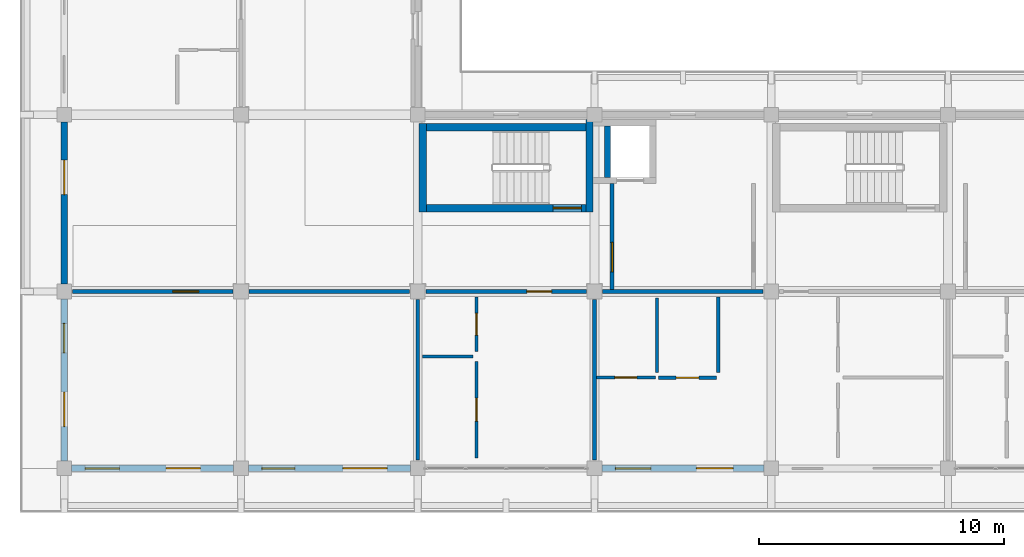
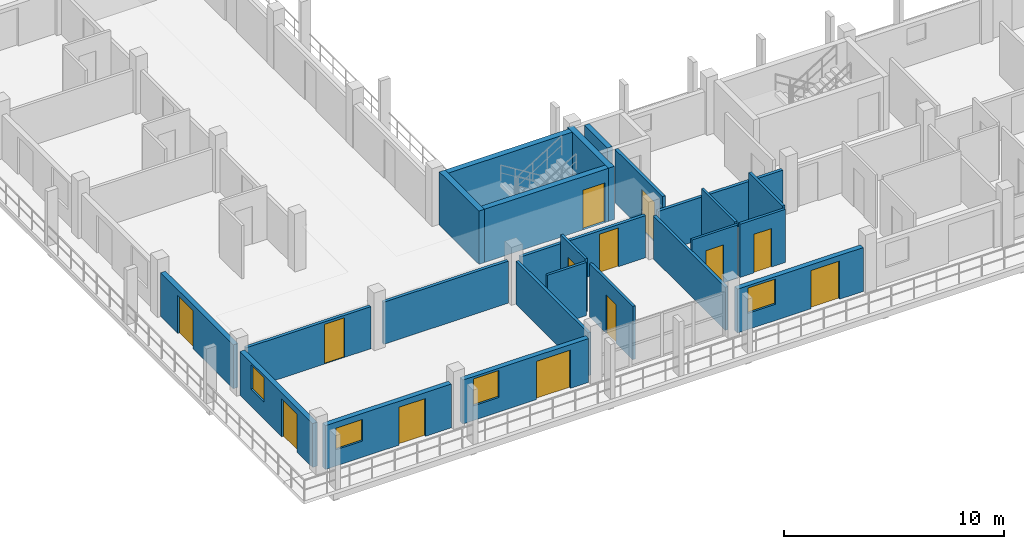
# One storey, part 40 of 78: 24 walls, 13 doors, 4 windows, 17 openings.
"""IFC4 building model written with IfcOpenShell, lengths in metres."""

from ifc_helpers import new_model, si_unit, direction, frame, frame_2d, origin, place, context, subcontext, project, spatial, rectangle, extrude, material, layer, layer_set, type_object, element, fill, save


model = new_model("IFC4")

# Units and contexts
model_context = context("Model", 3, precision=1e-05, world=origin(), true_north=direction((0.0, 1.0)))
body_context = subcontext(model_context, "Body", "Model", "MODEL_VIEW")
ifc_project = project(units=[si_unit("LENGTHUNIT", "METRE"), si_unit("AREAUNIT", "SQUARE_METRE"), si_unit("VOLUMEUNIT", "CUBIC_METRE"), si_unit("PLANEANGLEUNIT", "RADIAN"), si_unit("MASSUNIT", "GRAM", prefix="KILO")], contexts=[model_context])

# Site, building, storey
site_placement = place(None, origin())
site = spatial("IfcSite", under=ifc_project, at=site_placement, CompositionType="ELEMENT")
building_placement = place(site_placement, origin())
building = spatial("IfcBuilding", under=site, at=building_placement, Name="Suanplinth Sawtooth Commons", CompositionType="ELEMENT")
storey_placement = place(building_placement, frame((0.0, 0.0, 15.39990234375)))
storey = spatial("IfcBuildingStorey", under=building, at=storey_placement, Name="L04", CompositionType="ELEMENT", Elevation=15.39990234375)

# Wall, opening, door
ifc_material_1 = material(Name="Concrete C40/50", Category="concrete")
ifc_layer_1 = layer(ifc_material_1, 0.300048828125, Name="Standard RC stair and lift core wall 300mm")
ifc_layer_set_1 = layer_set([ifc_layer_1], Name="Concrete C40/50")
wall_type_1 = type_object("IfcWallType", Name="W-CR02", PredefinedType="SHEAR", material=ifc_layer_set_1)
wall_1_placement = place(storey_placement, frame((14.75, 10.60009765625, 0.0), z_axis=(0.0, 0.0, 1.0), x_axis=(1.0, 0.0, 0.0)))
wall_1 = element("IfcWall", 1, at=wall_1_placement, inside=storey, type_object=wall_type_1, Name="W-L04-C-D1-STS", PredefinedType="SHEAR", context=body_context, shape_type="SweptSolid", body=[
    extrude(rectangle(XDim=6.5, YDim=0.300048828125, at=frame_2d((3.25, 0.0))), origin(), (0.0, 0.0, 1.0), 2.9501953125),
])
opening_1_placement = place(wall_1_placement, frame((5.169921875, 0.0, 0.0)))
opening_1 = element("IfcOpeningElement", 2, at=opening_1_placement, cuts=wall_1, Name="Opening FD0377", PredefinedType="OPENING", context=body_context, shape_type="SweptSolid", body=[
    extrude(rectangle(XDim=1.14990234375, YDim=2.199951171875, at=frame_2d((0.574951171875, 1.10009765625))), frame((0.0, 0.1650390625, 0.0), z_axis=(0.0, -1.0, 0.0), x_axis=(1.0, 0.0, 0.0)), (0.0, 0.0, 1.0), 0.329833984375),
])
ifc_material_2 = material(Name="Teak hardwood fire-rated door assembly", Category="wood")
door_type_1 = type_object("IfcDoorType", Name="FD-01", OperationType="NOTDEFINED", PredefinedType="DOOR", material=ifc_material_2)
door_1_placement = place(opening_1_placement, origin())
door_1 = element("IfcDoor", 3, at=door_1_placement, inside=storey, type_object=door_type_1, Name="Exit Stair Fire Door FD0377", OperationType="SINGLE_SWING_LEFT", OverallHeight=2.199951171875, OverallWidth=1.14990234375, PredefinedType="DOOR", context=body_context, shape_type="SweptSolid", body=[
    extrude(rectangle(XDim=1.14990234375, YDim=2.199951171875, at=frame_2d((0.574951171875, 1.10009765625))), frame((0.0, 0.02490234375, 0.0), z_axis=(0.0, -1.0, 0.0), x_axis=(1.0, 0.0, 0.0)), (0.0, 0.0, 1.0), 0.050048828125),
])
fill(opening_1, door_1)

# Walls
wall_2_placement = place(storey_placement, frame((14.75, 13.89990234375, 0.0), z_axis=(0.0, 0.0, 1.0), x_axis=(1.0, 0.0, 0.0)))
element("IfcWall", 4, at=wall_2_placement, inside=storey, type_object=wall_type_1, Name="W-L04-C-D1-STN", PredefinedType="SHEAR", context=body_context, shape_type="SweptSolid", body=[
    extrude(rectangle(XDim=6.5, YDim=0.300048828125, at=frame_2d((3.25, 0.0))), origin(), (0.0, 0.0, 1.0), 2.9501953125),
])
wall_3_placement = place(storey_placement, frame((14.60009765625, 10.449951171875, 0.0), z_axis=(0.0, 0.0, 1.0), x_axis=(0.0, 1.0, 0.0)))
element("IfcWall", 5, at=wall_3_placement, inside=storey, type_object=wall_type_1, Name="W-L04-C-D1-STW", PredefinedType="SHEAR", context=body_context, shape_type="SweptSolid", body=[
    extrude(rectangle(XDim=3.60009765625, YDim=0.300048828125, at=frame_2d((1.800048828125, 0.0))), origin(), (0.0, 0.0, 1.0), 2.9501953125),
])
wall_4_placement = place(storey_placement, frame((21.39990234375, 10.449951171875, 0.0), z_axis=(0.0, 0.0, 1.0), x_axis=(0.0, 1.0, 0.0)))
element("IfcWall", 6, at=wall_4_placement, inside=storey, type_object=wall_type_1, Name="W-L04-C-D1-STE", PredefinedType="SHEAR", context=body_context, shape_type="SweptSolid", body=[
    extrude(rectangle(XDim=3.75, YDim=0.300048828125, at=frame_2d((1.875, 0.0))), origin(), (0.0, 0.0, 1.0), 2.9501953125),
])

# Wall, openings, door, window
ifc_material_3 = material(Name="Precast concrete C40/50", Category="concrete")
ifc_layer_2 = layer(ifc_material_3, 0.260009765625, Name="Insulated precast courtyard facade wall 260mm")
ifc_layer_set_2 = layer_set([ifc_layer_2], Name="Precast concrete C40/50")
wall_type_2 = type_object("IfcWallType", Name="W-EX02", PredefinedType="ELEMENTEDWALL", material=ifc_layer_set_2)
wall_5_placement = place(storey_placement, frame((0.300048828125, 0.0, 0.0), z_axis=(0.0, 0.0, 1.0), x_axis=(1.0, 0.0, 0.0)))
wall_5 = element("IfcWall", 7, at=wall_5_placement, inside=storey, type_object=wall_type_2, Name="Facade Wall W-L04-D-S-0-0", PredefinedType="ELEMENTEDWALL", context=body_context, shape_type="SweptSolid", body=[
    extrude(rectangle(XDim=6.599853515625, YDim=0.260009765625, at=frame_2d((3.2998046875, 0.0))), origin(), (0.0, 0.0, 1.0), 2.43017578125),
])
opening_2_placement = place(wall_5_placement, frame((3.85009765625, 0.0, 0.0)))
opening_2 = element("IfcOpeningElement", 8, at=opening_2_placement, cuts=wall_5, Name="Opening ED0379", PredefinedType="OPENING", context=body_context, shape_type="SweptSolid", body=[
    extrude(rectangle(XDim=1.39990234375, YDim=2.10009765625, at=frame_2d((0.699951171875, 1.050048828125))), frame((0.0, 0.14501953125, 0.0), z_axis=(0.0, -1.0, 0.0), x_axis=(1.0, 0.0, 0.0)), (0.0, 0.0, 1.0), 0.289794921875),
])
opening_3_placement = place(wall_5_placement, frame((0.550048828125, 0.0, 0.89990234375)))
opening_3 = element("IfcOpeningElement", 9, at=opening_3_placement, cuts=wall_5, Name="Opening W0476", PredefinedType="OPENING", context=body_context, shape_type="SweptSolid", body=[
    extrude(rectangle(XDim=1.39990234375, YDim=1.199951171875, at=frame_2d((0.699951171875, 0.60009765625))), frame((0.0, 0.14501953125, 0.0), z_axis=(0.0, -1.0, 0.0), x_axis=(1.0, 0.0, 0.0)), (0.0, 0.0, 1.0), 0.289794921875),
])
ifc_material_4 = material(Name="Anodized aluminium and low-E glass", Category="aluminium")
door_type_2 = type_object("IfcDoorType", Name="SD-07", OperationType="SLIDING_TO_RIGHT", PredefinedType="DOOR", material=ifc_material_4)
door_2_placement = place(opening_2_placement, frame((1.39990234375, 0.0, 0.0), z_axis=(0.0, 0.0, 1.0), x_axis=(-1.0, 0.0, 0.0)))
door_2 = element("IfcDoor", 10, at=door_2_placement, inside=storey, type_object=door_type_2, Name="Balcony Sliding Door L04-D-0", OperationType="SLIDING_TO_RIGHT", OverallHeight=2.10009765625, OverallWidth=1.39990234375, PredefinedType="DOOR", context=body_context, shape_type="SweptSolid", body=[
    extrude(rectangle(XDim=1.39990234375, YDim=2.10009765625, at=frame_2d((0.699951171875, 1.050048828125))), frame((0.0, 0.02490234375, 0.0), z_axis=(0.0, -1.0, 0.0), x_axis=(1.0, 0.0, 0.0)), (0.0, 0.0, 1.0), 0.050048828125),
])
fill(opening_2, door_2)
ifc_material_5 = material(Name="Thermally broken aluminium and low-E double glazing", Category="aluminium")
window_type_1 = type_object("IfcWindowType", Name="WN-10", PartitioningType="DOUBLE_PANEL_HORIZONTAL", PredefinedType="WINDOW", material=ifc_material_5)
window_1_placement = place(opening_3_placement, origin())
window_1 = element("IfcWindow", 11, at=window_1_placement, inside=storey, type_object=window_type_1, Name="Apartment Window L04-D-0", OverallHeight=1.199951171875, OverallWidth=1.39990234375, PartitioningType="DOUBLE_PANEL_HORIZONTAL", PredefinedType="WINDOW", context=body_context, shape_type="SweptSolid", body=[
    extrude(rectangle(XDim=1.39990234375, YDim=1.199951171875, at=frame_2d((0.699951171875, 0.60009765625))), frame((0.0, 0.030029296875, 0.0), z_axis=(0.0, -1.0, 0.0), x_axis=(1.0, 0.0, 0.0)), (0.0, 0.0, 1.0), 0.06005859375),
])
fill(opening_3, window_1)

wall_6_placement = place(storey_placement, frame((0.0, 0.300048828125, 0.0), z_axis=(0.0, 0.0, 1.0), x_axis=(0.0, 1.0, 0.0)))
wall_6 = element("IfcWall", 12, at=wall_6_placement, inside=storey, type_object=wall_type_2, Name="Facade Wall W-L04-D-W-0-0", PredefinedType="ELEMENTEDWALL", context=body_context, shape_type="SweptSolid", body=[
    extrude(rectangle(XDim=6.599853515625, YDim=0.260009765625, at=frame_2d((3.2998046875, 0.0))), origin(), (0.0, 0.0, 1.0), 2.43017578125),
])
opening_4_placement = place(wall_6_placement, frame((1.39990234375, 0.0, 0.0)))
opening_4 = element("IfcOpeningElement", 13, at=opening_4_placement, cuts=wall_6, Name="Opening ED0380", PredefinedType="OPENING", context=body_context, shape_type="SweptSolid", body=[
    extrude(rectangle(XDim=1.39990234375, YDim=2.10009765625, at=frame_2d((0.699951171875, 1.050048828125))), frame((0.0, 0.14501953125, 0.0), z_axis=(0.0, -1.0, 0.0), x_axis=(1.0, 0.0, 0.0)), (0.0, 0.0, 1.0), 0.289794921875),
])
opening_5_placement = place(wall_6_placement, frame((4.39990234375, 0.0, 0.949951171875)))
opening_5 = element("IfcOpeningElement", 14, at=opening_5_placement, cuts=wall_6, Name="Opening W0477", PredefinedType="OPENING", context=body_context, shape_type="SweptSolid", body=[
    extrude(rectangle(XDim=1.199951171875, YDim=1.35009765625, at=frame_2d((0.60009765625, 0.675048828125))), frame((0.0, 0.14501953125, 0.0), z_axis=(0.0, -1.0, 0.0), x_axis=(1.0, 0.0, 0.0)), (0.0, 0.0, 1.0), 0.289794921875),
])
door_3_placement = place(opening_4_placement, frame((1.39990234375, 0.0, 0.0), z_axis=(0.0, 0.0, 1.0), x_axis=(-1.0, 0.0, 0.0)))
door_3 = element("IfcDoor", 15, at=door_3_placement, inside=storey, type_object=door_type_2, Name="End Balcony Sliding Door L04-D-W-0-0", OperationType="SLIDING_TO_RIGHT", OverallHeight=2.10009765625, OverallWidth=1.39990234375, PredefinedType="DOOR", context=body_context, shape_type="SweptSolid", body=[
    extrude(rectangle(XDim=1.39990234375, YDim=2.10009765625, at=frame_2d((0.699951171875, 1.050048828125))), frame((0.0, 0.02490234375, 0.0), z_axis=(0.0, -1.0, 0.0), x_axis=(1.0, 0.0, 0.0)), (0.0, 0.0, 1.0), 0.050048828125),
])
fill(opening_4, door_3)
window_type_2 = type_object("IfcWindowType", Name="WN-03", PartitioningType="SINGLE_PANEL", PredefinedType="WINDOW", material=ifc_material_5)
window_2_placement = place(opening_5_placement, origin())
window_2 = element("IfcWindow", 16, at=window_2_placement, inside=storey, type_object=window_type_2, Name="End Bedroom Window L04-D-0-0", OverallHeight=1.35009765625, OverallWidth=1.199951171875, PartitioningType="SINGLE_PANEL", PredefinedType="WINDOW", context=body_context, shape_type="SweptSolid", body=[
    extrude(rectangle(XDim=1.199951171875, YDim=1.35009765625, at=frame_2d((0.60009765625, 0.675048828125))), frame((0.0, 0.030029296875, 0.0), z_axis=(0.0, -1.0, 0.0), x_axis=(1.0, 0.0, 0.0)), (0.0, 0.0, 1.0), 0.06005859375),
])
fill(opening_5, window_2)

# Wall, opening, door
wall_7_placement = place(storey_placement, frame((0.0, 7.5, 0.0), z_axis=(0.0, 0.0, 1.0), x_axis=(0.0, 1.0, 0.0)))
wall_7 = element("IfcWall", 17, at=wall_7_placement, inside=storey, type_object=wall_type_2, Name="Facade Wall W-L04-D-W-0-1", PredefinedType="ELEMENTEDWALL", context=body_context, shape_type="SweptSolid", body=[
    extrude(rectangle(XDim=6.60009765625, YDim=0.260009765625, at=frame_2d((3.300048828125, 0.0))), origin(), (0.0, 0.0, 1.0), 2.43017578125),
])
opening_6_placement = place(wall_7_placement, frame((3.64990234375, 0.0, 0.0)))
opening_6 = element("IfcOpeningElement", 18, at=opening_6_placement, cuts=wall_7, Name="Opening ED0381", PredefinedType="OPENING", context=body_context, shape_type="SweptSolid", body=[
    extrude(rectangle(XDim=1.39990234375, YDim=2.10009765625, at=frame_2d((0.699951171875, 1.050048828125))), frame((0.0, 0.14501953125, 0.0), z_axis=(0.0, -1.0, 0.0), x_axis=(1.0, 0.0, 0.0)), (0.0, 0.0, 1.0), 0.289794921875),
])
door_4_placement = place(opening_6_placement, frame((1.39990234375, 0.0, 0.0), z_axis=(0.0, 0.0, 1.0), x_axis=(-1.0, 0.0, 0.0)))
door_4 = element("IfcDoor", 19, at=door_4_placement, inside=storey, type_object=door_type_2, Name="End Balcony Sliding Door L04-D-W-0-1", OperationType="SLIDING_TO_RIGHT", OverallHeight=2.10009765625, OverallWidth=1.39990234375, PredefinedType="DOOR", context=body_context, shape_type="SweptSolid", body=[
    extrude(rectangle(XDim=1.39990234375, YDim=2.10009765625, at=frame_2d((0.699951171875, 1.050048828125))), frame((0.0, 0.02490234375, 0.0), z_axis=(0.0, -1.0, 0.0), x_axis=(1.0, 0.0, 0.0)), (0.0, 0.0, 1.0), 0.050048828125),
])
fill(opening_6, door_4)

# Wall, openings, door, window
wall_8_placement = place(storey_placement, frame((7.5, 0.0, 0.0), z_axis=(0.0, 0.0, 1.0), x_axis=(1.0, 0.0, 0.0)))
wall_8 = element("IfcWall", 20, at=wall_8_placement, inside=storey, type_object=wall_type_2, Name="Facade Wall W-L04-D-S-1-0", PredefinedType="ELEMENTEDWALL", context=body_context, shape_type="SweptSolid", body=[
    extrude(rectangle(XDim=6.60009765625, YDim=0.260009765625, at=frame_2d((3.300048828125, 0.0))), origin(), (0.0, 0.0, 1.0), 2.43017578125),
])
opening_7_placement = place(wall_8_placement, frame((3.85009765625, 0.0, 0.0)))
opening_7 = element("IfcOpeningElement", 21, at=opening_7_placement, cuts=wall_8, Name="Opening ED0386", PredefinedType="OPENING", context=body_context, shape_type="SweptSolid", body=[
    extrude(rectangle(XDim=1.800048828125, YDim=2.1201171875, at=frame_2d((0.89990234375, 1.06005859375))), frame((0.0, 0.14501953125, 0.0), z_axis=(0.0, -1.0, 0.0), x_axis=(1.0, 0.0, 0.0)), (0.0, 0.0, 1.0), 0.289794921875),
])
opening_8_placement = place(wall_8_placement, frame((0.550048828125, 0.0, 0.81005859375)))
opening_8 = element("IfcOpeningElement", 22, at=opening_8_placement, cuts=wall_8, Name="Opening W0481", PredefinedType="OPENING", context=body_context, shape_type="SweptSolid", body=[
    extrude(rectangle(XDim=1.35009765625, YDim=1.5, at=frame_2d((0.675048828125, 0.75))), frame((0.0, 0.14501953125, 0.0), z_axis=(0.0, -1.0, 0.0), x_axis=(1.0, 0.0, 0.0)), (0.0, 0.0, 1.0), 0.289794921875),
])
door_type_3 = type_object("IfcDoorType", Name="SD-01", OperationType="SLIDING_TO_LEFT", PredefinedType="DOOR", material=ifc_material_4)
door_5_placement = place(opening_7_placement, frame((1.800048828125, 0.0, 0.0), z_axis=(0.0, 0.0, 1.0), x_axis=(-1.0, 0.0, 0.0)))
door_5 = element("IfcDoor", 23, at=door_5_placement, inside=storey, type_object=door_type_3, Name="Balcony Sliding Door L04-D-1", OperationType="SLIDING_TO_LEFT", OverallHeight=2.1201171875, OverallWidth=1.800048828125, PredefinedType="DOOR", context=body_context, shape_type="SweptSolid", body=[
    extrude(rectangle(XDim=1.800048828125, YDim=2.1201171875, at=frame_2d((0.89990234375, 1.06005859375))), frame((0.0, 0.02490234375, 0.0), z_axis=(0.0, -1.0, 0.0), x_axis=(1.0, 0.0, 0.0)), (0.0, 0.0, 1.0), 0.050048828125),
])
fill(opening_7, door_5)
window_type_3 = type_object("IfcWindowType", Name="WN-14", PartitioningType="SINGLE_PANEL", PredefinedType="WINDOW", material=ifc_material_5)
window_3_placement = place(opening_8_placement, origin())
window_3 = element("IfcWindow", 24, at=window_3_placement, inside=storey, type_object=window_type_3, Name="Apartment Window L04-D-1", OverallHeight=1.5, OverallWidth=1.35009765625, PartitioningType="SINGLE_PANEL", PredefinedType="WINDOW", context=body_context, shape_type="SweptSolid", body=[
    extrude(rectangle(XDim=1.35009765625, YDim=1.5, at=frame_2d((0.675048828125, 0.75))), frame((0.0, 0.030029296875, 0.0), z_axis=(0.0, -1.0, 0.0), x_axis=(1.0, 0.0, 0.0)), (0.0, 0.0, 1.0), 0.06005859375),
])
fill(opening_8, window_3)

wall_9_placement = place(storey_placement, frame((21.89990234375, 0.0, 0.0), z_axis=(0.0, 0.0, 1.0), x_axis=(1.0, 0.0, 0.0)))
wall_9 = element("IfcWall", 25, at=wall_9_placement, inside=storey, type_object=wall_type_2, Name="Facade Wall W-L04-D-S-3-0", PredefinedType="ELEMENTEDWALL", context=body_context, shape_type="SweptSolid", body=[
    extrude(rectangle(XDim=6.60009765625, YDim=0.260009765625, at=frame_2d((3.300048828125, 0.0))), origin(), (0.0, 0.0, 1.0), 2.43017578125),
])
opening_9_placement = place(wall_9_placement, frame((3.85009765625, 0.0, 0.0)))
opening_9 = element("IfcOpeningElement", 26, at=opening_9_placement, cuts=wall_9, Name="Opening ED0390", PredefinedType="OPENING", context=body_context, shape_type="SweptSolid", body=[
    extrude(rectangle(XDim=1.5, YDim=2.1201171875, at=frame_2d((0.75, 1.06005859375))), frame((0.0, 0.14501953125, 0.0), z_axis=(0.0, -1.0, 0.0), x_axis=(1.0, 0.0, 0.0)), (0.0, 0.0, 1.0), 0.289794921875),
])
opening_10_placement = place(wall_9_placement, frame((0.550048828125, 0.0, 0.89990234375)))
opening_10 = element("IfcOpeningElement", 27, at=opening_10_placement, cuts=wall_9, Name="Opening W0484", PredefinedType="OPENING", context=body_context, shape_type="SweptSolid", body=[
    extrude(rectangle(XDim=1.449951171875, YDim=1.39990234375, at=frame_2d((0.72509765625, 0.699951171875))), frame((0.0, 0.14501953125, 0.0), z_axis=(0.0, -1.0, 0.0), x_axis=(1.0, 0.0, 0.0)), (0.0, 0.0, 1.0), 0.289794921875),
])
door_type_4 = type_object("IfcDoorType", Name="SD-03", OperationType="SLIDING_TO_LEFT", PredefinedType="DOOR", material=ifc_material_4)
door_6_placement = place(opening_9_placement, frame((1.5, 0.0, 0.0), z_axis=(0.0, 0.0, 1.0), x_axis=(-1.0, 0.0, 0.0)))
door_6 = element("IfcDoor", 28, at=door_6_placement, inside=storey, type_object=door_type_4, Name="Balcony Sliding Door L04-D-3", OperationType="SLIDING_TO_LEFT", OverallHeight=2.1201171875, OverallWidth=1.5, PredefinedType="DOOR", context=body_context, shape_type="SweptSolid", body=[
    extrude(rectangle(XDim=1.5, YDim=2.1201171875, at=frame_2d((0.75, 1.06005859375))), frame((0.0, 0.02490234375, 0.0), z_axis=(0.0, -1.0, 0.0), x_axis=(1.0, 0.0, 0.0)), (0.0, 0.0, 1.0), 0.050048828125),
])
fill(opening_9, door_6)
window_type_4 = type_object("IfcWindowType", Name="WN-16", PartitioningType="DOUBLE_PANEL_VERTICAL", PredefinedType="WINDOW", material=ifc_material_5)
window_4_placement = place(opening_10_placement, origin())
window_4 = element("IfcWindow", 29, at=window_4_placement, inside=storey, type_object=window_type_4, Name="Apartment Window L04-D-3", OverallHeight=1.39990234375, OverallWidth=1.449951171875, PartitioningType="DOUBLE_PANEL_VERTICAL", PredefinedType="WINDOW", context=body_context, shape_type="SweptSolid", body=[
    extrude(rectangle(XDim=1.449951171875, YDim=1.39990234375, at=frame_2d((0.72509765625, 0.699951171875))), frame((0.0, 0.030029296875, 0.0), z_axis=(0.0, -1.0, 0.0), x_axis=(1.0, 0.0, 0.0)), (0.0, 0.0, 1.0), 0.06005859375),
])
fill(opening_10, window_4)

# Wall, opening, door
ifc_layer_3 = layer(ifc_material_3, 0.159912109375, Name="Fire-rated corridor and lobby wall 160mm")
ifc_layer_set_3 = layer_set([ifc_layer_3], Name="Precast concrete C40/50")
wall_type_3 = type_object("IfcWallType", Name="W-FW01", PredefinedType="PARTITIONING", material=ifc_layer_set_3)
wall_10_placement = place(storey_placement, frame((22.320068359375, 7.280029296875, 0.0), z_axis=(0.0, 0.0, 1.0), x_axis=(0.0, 1.0, 0.0)))
wall_10 = element("IfcWall", 30, at=wall_10_placement, inside=storey, type_object=wall_type_3, Name="W-L04-C-D1-LOB-W", PredefinedType="PARTITIONING", context=body_context, shape_type="SweptSolid", body=[
    extrude(rectangle(XDim=4.320068359375, YDim=0.159912109375, at=frame_2d((2.16015625, 0.0))), origin(), (0.0, 0.0, 1.0), 2.9501953125),
])
opening_11_placement = place(wall_10_placement, frame((0.719970703125, 0.0, 0.0)))
opening_11 = element("IfcOpeningElement", 31, at=opening_11_placement, cuts=wall_10, Name="Opening FD0378", PredefinedType="OPENING", context=body_context, shape_type="SweptSolid", body=[
    extrude(rectangle(XDim=1.199951171875, YDim=2.199951171875, at=frame_2d((0.60009765625, 1.10009765625))), frame((0.0, 0.0947265625, 0.0), z_axis=(0.0, -1.0, 0.0), x_axis=(1.0, 0.0, 0.0)), (0.0, 0.0, 1.0), 0.189697265625),
])
door_type_5 = type_object("IfcDoorType", Name="FD-02", OperationType="NOTDEFINED", PredefinedType="DOOR", material=ifc_material_2)
door_7_placement = place(opening_11_placement, origin())
door_7 = element("IfcDoor", 32, at=door_7_placement, inside=storey, type_object=door_type_5, Name="Lobby Fire Door FD0378", OperationType="SINGLE_SWING_RIGHT", OverallHeight=2.199951171875, OverallWidth=1.199951171875, PredefinedType="DOOR", context=body_context, shape_type="SweptSolid", body=[
    extrude(rectangle(XDim=1.199951171875, YDim=2.199951171875, at=frame_2d((0.60009765625, 1.10009765625))), frame((0.0, 0.02490234375, 0.0), z_axis=(0.0, -1.0, 0.0), x_axis=(1.0, 0.0, 0.0)), (0.0, 0.0, 1.0), 0.050048828125),
])
fill(opening_11, door_7)

wall_11_placement = place(storey_placement, frame((0.330078125, 7.199951171875, 0.0), z_axis=(0.0, 0.0, 1.0), x_axis=(1.0, 0.0, 0.0)))
wall_11 = element("IfcWall", 33, at=wall_11_placement, inside=storey, type_object=wall_type_3, Name="W-D-L04-U01-COR-S1", PredefinedType="PARTITIONING", context=body_context, shape_type="SweptSolid", body=[
    extrude(rectangle(XDim=6.5400390625, YDim=0.159912109375, at=frame_2d((3.27001953125, 0.0))), origin(), (0.0, 0.0, 1.0), 2.335205078125),
])
opening_12_placement = place(wall_11_placement, frame((4.094970703125, 0.0, 0.0)))
opening_12 = element("IfcOpeningElement", 34, at=opening_12_placement, cuts=wall_11, Name="Opening D1171", PredefinedType="OPENING", context=body_context, shape_type="SweptSolid", body=[
    extrude(rectangle(XDim=1.050048828125, YDim=2.199951171875, at=frame_2d((0.52490234375, 1.10009765625))), frame((0.0, 0.0947265625, 0.0), z_axis=(0.0, -1.0, 0.0), x_axis=(1.0, 0.0, 0.0)), (0.0, 0.0, 1.0), 0.189697265625),
])
ifc_material_6 = material(Name="Teak hardwood", Category="wood")
door_type_6 = type_object("IfcDoorType", Name="D-05", OperationType="NOTDEFINED", PredefinedType="DOOR", material=ifc_material_6)
door_8_placement = place(opening_12_placement, frame((1.050048828125, 0.0, 0.0), z_axis=(0.0, 0.0, 1.0), x_axis=(-1.0, 0.0, 0.0)))
door_8 = element("IfcDoor", 35, at=door_8_placement, inside=storey, type_object=door_type_6, Name="Unit Entrance Door D1171", OperationType="SINGLE_SWING_LEFT", OverallHeight=2.199951171875, OverallWidth=1.050048828125, PredefinedType="DOOR", context=body_context, shape_type="SweptSolid", body=[
    extrude(rectangle(XDim=1.050048828125, YDim=2.199951171875, at=frame_2d((0.52490234375, 1.10009765625))), frame((0.0, 0.02490234375, 0.0), z_axis=(0.0, -1.0, 0.0), x_axis=(1.0, 0.0, 0.0)), (0.0, 0.0, 1.0), 0.050048828125),
])
fill(opening_12, door_8)

# Wall
wall_12_placement = place(storey_placement, frame((7.530029296875, 7.199951171875, 0.0), z_axis=(0.0, 0.0, 1.0), x_axis=(1.0, 0.0, 0.0)))
element("IfcWall", 36, at=wall_12_placement, inside=storey, type_object=wall_type_3, Name="W-D-L04-U01-COR-S2", PredefinedType="PARTITIONING", context=body_context, shape_type="SweptSolid", body=[
    extrude(rectangle(XDim=6.5400390625, YDim=0.159912109375, at=frame_2d((3.27001953125, 0.0))), origin(), (0.0, 0.0, 1.0), 2.335205078125),
])

# Wall, opening, door
wall_13_placement = place(storey_placement, frame((14.72998046875, 7.199951171875, 0.0), z_axis=(0.0, 0.0, 1.0), x_axis=(1.0, 0.0, 0.0)))
wall_13 = element("IfcWall", 37, at=wall_13_placement, inside=storey, type_object=wall_type_3, Name="W-D-L04-U02-COR", PredefinedType="PARTITIONING", context=body_context, shape_type="SweptSolid", body=[
    extrude(rectangle(XDim=6.5400390625, YDim=0.159912109375, at=frame_2d((3.27001953125, 0.0))), origin(), (0.0, 0.0, 1.0), 2.335205078125),
])
opening_13_placement = place(wall_13_placement, frame((4.1201171875, 0.0, 0.0)))
opening_13 = element("IfcOpeningElement", 38, at=opening_13_placement, cuts=wall_13, Name="Opening FD1172", PredefinedType="OPENING", context=body_context, shape_type="SweptSolid", body=[
    extrude(rectangle(XDim=1.0, YDim=2.14990234375, at=frame_2d((0.5, 1.074951171875))), frame((0.0, 0.0947265625, 0.0), z_axis=(0.0, -1.0, 0.0), x_axis=(1.0, 0.0, 0.0)), (0.0, 0.0, 1.0), 0.189697265625),
])
door_type_7 = type_object("IfcDoorType", Name="FD-03", OperationType="NOTDEFINED", PredefinedType="DOOR", material=ifc_material_2)
door_9_placement = place(opening_13_placement, frame((1.0, 0.0, 0.0), z_axis=(0.0, 0.0, 1.0), x_axis=(-1.0, 0.0, 0.0)))
door_9 = element("IfcDoor", 39, at=door_9_placement, inside=storey, type_object=door_type_7, Name="Unit Entrance Door FD1172", OperationType="SINGLE_SWING_RIGHT", OverallHeight=2.14990234375, OverallWidth=1.0, PredefinedType="DOOR", context=body_context, shape_type="SweptSolid", body=[
    extrude(rectangle(XDim=1.0, YDim=2.14990234375, at=frame_2d((0.5, 1.074951171875))), frame((0.0, 0.02490234375, 0.0), z_axis=(0.0, -1.0, 0.0), x_axis=(1.0, 0.0, 0.0)), (0.0, 0.0, 1.0), 0.050048828125),
])
fill(opening_13, door_9)

# Walls
wall_14_placement = place(storey_placement, frame((21.929931640625, 7.199951171875, 0.0), z_axis=(0.0, 0.0, 1.0), x_axis=(1.0, 0.0, 0.0)))
element("IfcWall", 40, at=wall_14_placement, inside=storey, type_object=wall_type_3, Name="W-D-L04-U03-COR-S1", PredefinedType="PARTITIONING", context=body_context, shape_type="SweptSolid", body=[
    extrude(rectangle(XDim=6.5400390625, YDim=0.159912109375, at=frame_2d((3.27001953125, 0.0))), origin(), (0.0, 0.0, 1.0), 2.335205078125),
])
ifc_layer_4 = layer(ifc_material_3, 0.14990234375, Name="Acoustic precast party demising wall 150mm")
ifc_layer_set_4 = layer_set([ifc_layer_4], Name="Precast concrete C40/50")
wall_type_4 = type_object("IfcWallType", Name="W-FW02", PredefinedType="PARTITIONING", material=ifc_layer_set_4)
for number, where, z_axis, x_axis, name in (
    (41, (14.39990234375, 0.330078125, 0.0), (0.0, 0.0, 1.0), (0.0, 1.0, 0.0), "W-D-L04-U01-PTY"),
    (42, (21.60009765625, 0.330078125, 0.0), (0.0, 0.0, 1.0), (0.0, 1.0, 0.0), "W-D-L04-U02-PTY"),
):
    element("IfcWall", number, at=place(storey_placement, frame(where, z_axis=z_axis, x_axis=x_axis)), inside=storey, type_object=wall_type_4, Name=name, PredefinedType="PARTITIONING", context=body_context, shape_type="SweptSolid", body=[
        extrude(rectangle(XDim=6.5400390625, YDim=0.14990234375, at=frame_2d((3.27001953125, 0.0))), origin(), (0.0, 0.0, 1.0), 2.385009765625),
    ])

# Wall, opening, door
ifc_material_7 = material(Name="Gypsum plasterboard on steel stud", Category="steel")
ifc_layer_5 = layer(ifc_material_7, 0.139892578125, Name="Fire-rated kitchen partition 140mm")
ifc_layer_set_5 = layer_set([ifc_layer_5], Name="Gypsum plasterboard on steel stud")
wall_type_5 = type_object("IfcWallType", Name="W-PT01", PredefinedType="PARTITIONING", material=ifc_layer_set_5)
wall_15_placement = place(storey_placement, frame((16.794921875, 0.419921875, 0.0), z_axis=(0.0, 0.0, 1.0), x_axis=(0.0, 1.0, 0.0)))
wall_15 = element("IfcWall", 43, at=wall_15_placement, inside=storey, type_object=wall_type_5, Name="W-D-L04-U02-KITE", PredefinedType="PARTITIONING", context=body_context, shape_type="SweptSolid", body=[
    extrude(rectangle(XDim=3.940185546875, YDim=0.139892578125, at=frame_2d((1.97021484375, 0.0))), origin(), (0.0, 0.0, 1.0), 2.9501953125),
])
opening_14_placement = place(wall_15_placement, frame((1.5048828125, 0.0, 0.0)))
opening_14 = element("IfcOpeningElement", 44, at=opening_14_placement, cuts=wall_15, Name="Opening D1174", PredefinedType="OPENING", context=body_context, shape_type="SweptSolid", body=[
    extrude(rectangle(XDim=0.929931640625, YDim=2.139892578125, at=frame_2d((0.46484375, 1.06982421875))), frame((0.0, 0.0849609375, 0.0), z_axis=(0.0, -1.0, 0.0), x_axis=(1.0, 0.0, 0.0)), (0.0, 0.0, 1.0), 0.169677734375),
])
door_type_8 = type_object("IfcDoorType", Name="D-19", OperationType="NOTDEFINED", PredefinedType="DOOR", material=ifc_material_6)
door_10_placement = place(opening_14_placement, origin())
door_10 = element("IfcDoor", 45, at=door_10_placement, inside=storey, type_object=door_type_8, Name="Kitchen Door D1174", OperationType="SINGLE_SWING_RIGHT", OverallHeight=2.139892578125, OverallWidth=0.929931640625, PredefinedType="DOOR", context=body_context, shape_type="SweptSolid", body=[
    extrude(rectangle(XDim=0.929931640625, YDim=2.139892578125, at=frame_2d((0.46484375, 1.06982421875))), frame((0.0, 0.02490234375, 0.0), z_axis=(0.0, -1.0, 0.0), x_axis=(1.0, 0.0, 0.0)), (0.0, 0.0, 1.0), 0.050048828125),
])
fill(opening_14, door_10)

wall_16_placement = place(storey_placement, frame((24.199951171875, 3.68994140625, 0.0), z_axis=(0.0, 0.0, 1.0), x_axis=(1.0, 0.0, 0.0)))
wall_16 = element("IfcWall", 46, at=wall_16_placement, inside=storey, type_object=wall_type_5, Name="W-D-L04-U03-KIT1", PredefinedType="PARTITIONING", context=body_context, shape_type="SweptSolid", body=[
    extrude(rectangle(XDim=2.380126953125, YDim=0.139892578125, at=frame_2d((1.18994140625, 0.0))), origin(), (0.0, 0.0, 1.0), 2.9501953125),
])
opening_15_placement = place(wall_16_placement, frame((0.72509765625, 0.0, 0.0)))
opening_15 = element("IfcOpeningElement", 47, at=opening_15_placement, cuts=wall_16, Name="Opening D1177", PredefinedType="OPENING", context=body_context, shape_type="SweptSolid", body=[
    extrude(rectangle(XDim=0.929931640625, YDim=2.139892578125, at=frame_2d((0.46484375, 1.06982421875))), frame((0.0, 0.0849609375, 0.0), z_axis=(0.0, -1.0, 0.0), x_axis=(1.0, 0.0, 0.0)), (0.0, 0.0, 1.0), 0.169677734375),
])
door_11_placement = place(opening_15_placement, origin())
door_11 = element("IfcDoor", 48, at=door_11_placement, inside=storey, type_object=door_type_8, Name="Kitchen Door D1177", OperationType="SINGLE_SWING_LEFT", OverallHeight=2.139892578125, OverallWidth=0.929931640625, PredefinedType="DOOR", context=body_context, shape_type="SweptSolid", body=[
    extrude(rectangle(XDim=0.929931640625, YDim=2.139892578125, at=frame_2d((0.46484375, 1.06982421875))), frame((0.0, 0.02490234375, 0.0), z_axis=(0.0, -1.0, 0.0), x_axis=(1.0, 0.0, 0.0)), (0.0, 0.0, 1.0), 0.050048828125),
])
fill(opening_15, door_11)

# Walls
wall_17_placement = place(storey_placement, frame((26.64990234375, 3.909912109375, 0.0), z_axis=(0.0, 0.0, 1.0), x_axis=(0.0, 1.0, 0.0)))
element("IfcWall", 49, at=wall_17_placement, inside=storey, type_object=wall_type_5, Name="W-D-L04-U03-KIT2", PredefinedType="PARTITIONING", context=body_context, shape_type="SweptSolid", body=[
    extrude(rectangle(XDim=3.06005859375, YDim=0.139892578125, at=frame_2d((1.530029296875, 0.0))), origin(), (0.0, 0.0, 1.0), 2.9501953125),
])
ifc_layer_6 = layer(ifc_material_7, 0.1298828125, Name="Moisture-resistant bathroom partition 130mm")
ifc_layer_set_6 = layer_set([ifc_layer_6], Name="Gypsum plasterboard on steel stud")
wall_type_6 = type_object("IfcWallType", Name="W-PT02", PredefinedType="PARTITIONING", material=ifc_layer_set_6)
wall_18_placement = place(storey_placement, frame((14.60009765625, 4.56005859375, 0.0), z_axis=(0.0, 0.0, 1.0), x_axis=(1.0, 0.0, 0.0)))
element("IfcWall", 50, at=wall_18_placement, inside=storey, type_object=wall_type_6, Name="W-D-L04-U02-STDIV", PredefinedType="PARTITIONING", context=body_context, shape_type="SweptSolid", body=[
    extrude(rectangle(XDim=2.0498046875, YDim=0.1298828125, at=frame_2d((1.02490234375, 0.0))), origin(), (0.0, 0.0, 1.0), 2.9501953125),
])

# Wall, opening, door
wall_19_placement = place(storey_placement, frame((16.794921875, 4.760009765625, 0.0), z_axis=(0.0, 0.0, 1.0), x_axis=(0.0, 1.0, 0.0)))
wall_19 = element("IfcWall", 51, at=wall_19_placement, inside=storey, type_object=wall_type_6, Name="W-D-L04-U02-BTHE", PredefinedType="PARTITIONING", context=body_context, shape_type="SweptSolid", body=[
    extrude(rectangle(XDim=2.219970703125, YDim=0.1298828125, at=frame_2d((1.10986328125, 0.0))), origin(), (0.0, 0.0, 1.0), 2.9501953125),
])
opening_16_placement = place(wall_19_placement, frame((0.669921875, 0.0, 0.0)))
opening_16 = element("IfcOpeningElement", 52, at=opening_16_placement, cuts=wall_19, Name="Opening D1173", PredefinedType="OPENING", context=body_context, shape_type="SweptSolid", body=[
    extrude(rectangle(XDim=0.8798828125, YDim=2.10009765625, at=frame_2d((0.43994140625, 1.050048828125))), frame((0.0, 0.079833984375, 0.0), z_axis=(0.0, -1.0, 0.0), x_axis=(1.0, 0.0, 0.0)), (0.0, 0.0, 1.0), 0.15966796875),
])
door_type_9 = type_object("IfcDoorType", Name="D-14", OperationType="NOTDEFINED", PredefinedType="DOOR", material=ifc_material_6)
door_12_placement = place(opening_16_placement, origin())
door_12 = element("IfcDoor", 53, at=door_12_placement, inside=storey, type_object=door_type_9, Name="Bathroom Door D1173", OperationType="SINGLE_SWING_LEFT", OverallHeight=2.10009765625, OverallWidth=0.8798828125, PredefinedType="DOOR", context=body_context, shape_type="SweptSolid", body=[
    extrude(rectangle(XDim=0.8798828125, YDim=2.10009765625, at=frame_2d((0.43994140625, 1.050048828125))), frame((0.0, 0.02490234375, 0.0), z_axis=(0.0, -1.0, 0.0), x_axis=(1.0, 0.0, 0.0)), (0.0, 0.0, 1.0), 0.050048828125),
])
fill(opening_16, door_12)

wall_20_placement = place(storey_placement, frame((21.679931640625, 3.695068359375, 0.0), z_axis=(0.0, 0.0, 1.0), x_axis=(1.0, 0.0, 0.0)))
wall_20 = element("IfcWall", 54, at=wall_20_placement, inside=storey, type_object=wall_type_6, Name="W-D-L04-U03-BTH1", PredefinedType="PARTITIONING", context=body_context, shape_type="SweptSolid", body=[
    extrude(rectangle(XDim=2.400146484375, YDim=0.1298828125, at=frame_2d((1.2001953125, 0.0))), origin(), (0.0, 0.0, 1.0), 2.9501953125),
])
opening_17_placement = place(wall_20_placement, frame((0.75, 0.0, 0.0)))
opening_17 = element("IfcOpeningElement", 55, at=opening_17_placement, cuts=wall_20, Name="Opening D1176", PredefinedType="OPENING", context=body_context, shape_type="SweptSolid", body=[
    extrude(rectangle(XDim=0.89990234375, YDim=2.10009765625, at=frame_2d((0.449951171875, 1.050048828125))), frame((0.0, 0.079833984375, 0.0), z_axis=(0.0, -1.0, 0.0), x_axis=(1.0, 0.0, 0.0)), (0.0, 0.0, 1.0), 0.15966796875),
])
door_type_10 = type_object("IfcDoorType", Name="D-01", OperationType="NOTDEFINED", PredefinedType="DOOR", material=ifc_material_6)
door_13_placement = place(opening_17_placement, origin())
door_13 = element("IfcDoor", 56, at=door_13_placement, inside=storey, type_object=door_type_10, Name="Bathroom Door D1176", OperationType="SINGLE_SWING_RIGHT", OverallHeight=2.10009765625, OverallWidth=0.89990234375, PredefinedType="DOOR", context=body_context, shape_type="SweptSolid", body=[
    extrude(rectangle(XDim=0.89990234375, YDim=2.10009765625, at=frame_2d((0.449951171875, 1.050048828125))), frame((0.0, 0.02490234375, 0.0), z_axis=(0.0, -1.0, 0.0), x_axis=(1.0, 0.0, 0.0)), (0.0, 0.0, 1.0), 0.050048828125),
])
fill(opening_17, door_13)

# Walls
wall_21_placement = place(storey_placement, frame((24.14501953125, 3.89990234375, 0.0), z_axis=(0.0, 0.0, 1.0), x_axis=(0.0, 1.0, 0.0)))
element("IfcWall", 57, at=wall_21_placement, inside=storey, type_object=wall_type_6, Name="W-D-L04-U03-BTH2", PredefinedType="PARTITIONING", context=body_context, shape_type="SweptSolid", body=[
    extrude(rectangle(XDim=3.0400390625, YDim=0.1298828125, at=frame_2d((1.52001953125, 0.0))), origin(), (0.0, 0.0, 1.0), 2.9501953125),
])
ifc_layer_7 = layer(ifc_material_3, 0.25, Name="Precast structural shear wall 250mm")
ifc_layer_set_7 = layer_set([ifc_layer_7], Name="Precast concrete C40/50")
wall_type_7 = type_object("IfcWallType", Name="W-SH01", PredefinedType="SHEAR", material=ifc_layer_set_7)
wall_22_placement = place(storey_placement, frame((22.125, 11.85009765625, 0.0), z_axis=(0.0, 0.0, 1.0), x_axis=(0.0, 1.0, 0.0)))
element("IfcWall", 58, at=wall_22_placement, inside=storey, type_object=wall_type_7, Name="W-L04-LF6-W", PredefinedType="SHEAR", context=body_context, shape_type="SweptSolid", body=[
    extrude(rectangle(XDim=2.099853515625, YDim=0.25, at=frame_2d((1.0498046875, 0.0))), origin(), (0.0, 0.0, 1.0), 2.9501953125),
])

save(model, "model.ifc")
